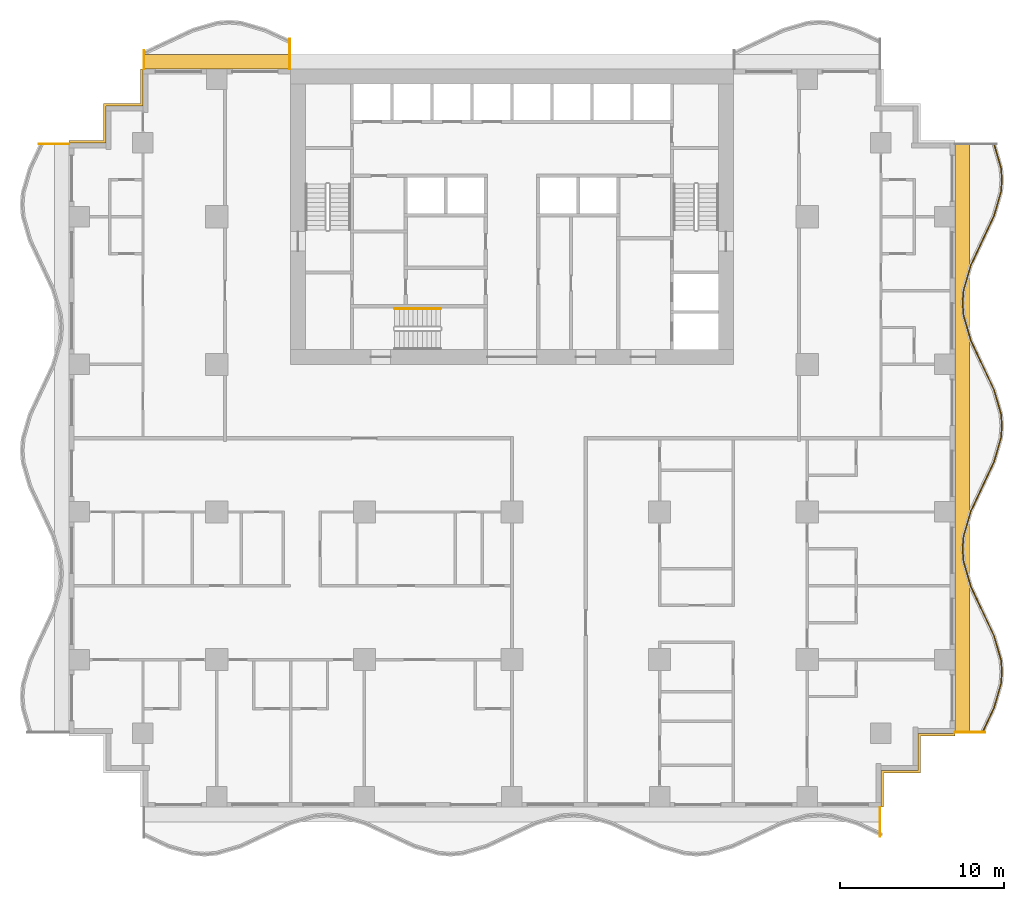
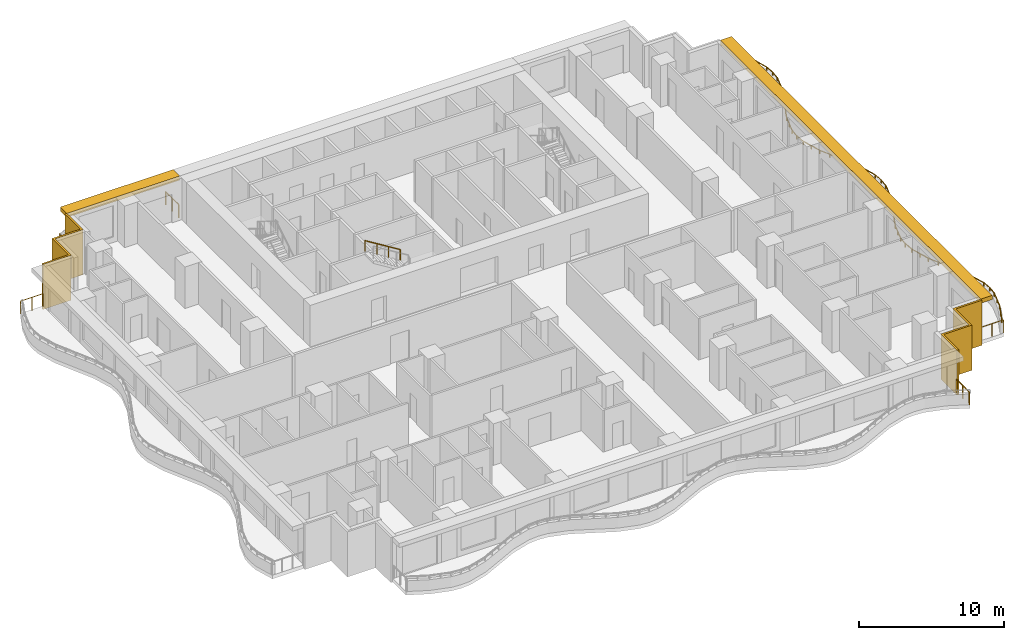
# One storey, part 11 of 14: 7 railings, 4 shading devices.
"""IFC4 building model written with IfcOpenShell, lengths in metres."""

from ifc_helpers import new_model, si_unit, direction, frame, origin, origin_2d, place, context, subcontext, project, spatial, polyline, rectangle, circle, outline, extrude, material, layer, layer_set, type_object, element, save


model = new_model("IFC4")

# Units and contexts
model_context = context("Model", 3, precision=1e-05, world=origin(), true_north=direction((0.0, 1.0)))
body_context = subcontext(model_context, "Body", "Model", "MODEL_VIEW")
ifc_project = project(units=[si_unit("LENGTHUNIT", "METRE"), si_unit("AREAUNIT", "SQUARE_METRE"), si_unit("VOLUMEUNIT", "CUBIC_METRE"), si_unit("PLANEANGLEUNIT", "RADIAN"), si_unit("MASSUNIT", "GRAM", prefix="KILO")], contexts=[model_context])

# Site, building, storey
site_placement = place(None, origin())
site = spatial("IfcSite", under=ifc_project, at=site_placement, CompositionType="ELEMENT")
building_placement = place(site_placement, origin())
building = spatial("IfcBuilding", under=site, at=building_placement, Name="Orbiselva Terraces", CompositionType="ELEMENT")
storey_placement = place(building_placement, frame((0.0, 0.0, 107.4)))
storey = spatial("IfcBuildingStorey", under=building, at=storey_placement, Name="L27", CompositionType="ELEMENT", Elevation=107.4)

# Railings
ifc_material_1 = material(Name="Stainless steel", Category="steel")
railing_type_1 = type_object("IfcRailingType", Name="CORE-HANDRAIL-900", PredefinedType="HANDRAIL", material=ifc_material_1)
railing_1_placement = place(storey_placement, frame((-4.35, 7.9, 2.072727)))
element("IfcRailing", 1, at=railing_1_placement, inside=storey, type_object=railing_type_1, Name="L27 S3 stair handrail 2", PredefinedType="HANDRAIL", context=body_context, shape_type="SweptSolid", body=[
    extrude(circle(Radius=0.024, at=origin_2d()), frame((0.0, 0.0, 0.876), z_axis=(-0.851088519012, 0.0, 0.52502222125), x_axis=(0.0, -1.0, 0.0)), (0.0, 0.0, 1.0), 3.289905),
    extrude(circle(Radius=0.021, at=origin_2d()), origin(), (0.0, 0.0, 1.0), 0.852),
    extrude(circle(Radius=0.021, at=origin_2d()), frame((-0.933333, 0.0, 0.575758)), (0.0, 0.0, 1.0), 0.852),
    extrude(circle(Radius=0.021, at=origin_2d()), frame((-1.866667, 0.0, 1.151515)), (0.0, 0.0, 1.0), 0.852),
    extrude(circle(Radius=0.021, at=origin_2d()), frame((-2.8, 0.0, 1.727273)), (0.0, 0.0, 1.0), 0.852),
])
ifc_material_2 = material(Name="Bonded two-ply safety glass balustrade, stainless steel posts", Category="steel")
railing_type_2 = type_object("IfcRailingType", Name="ENV-BALUSTRADE-1200", PredefinedType="BALUSTRADE", material=ifc_material_2)
railing_2_placement = place(storey_placement, frame((28.686882, -17.946809, 0.9)))
element("IfcRailing", 2, at=railing_2_placement, inside=storey, type_object=railing_type_2, Name="Balcony balustrade L27 E", PredefinedType="BALUSTRADE", context=body_context, shape_type="SweptSolid", body=[
    extrude(outline(polyline([(0.028868, 0.0), (0.014434, 0.025), (-0.014434, 0.025), (-0.028868, 0.0), (-0.014434, -0.025), (0.014434, -0.025), (0.028868, 0.0)])), frame((0.0, 0.0, 0.275), z_axis=(0.425529912322, 0.904944359461, 0.0), x_axis=(-0.904944359461, 0.425529912322, 0.0)), (0.0, 0.0, 1.0), 1.647746),
    extrude(outline(polyline([(0.028868, 0.0), (0.014434, 0.025), (-0.014434, 0.025), (-0.028868, 0.0), (-0.014434, -0.025), (0.014434, -0.025), (0.028868, 0.0)])), frame((0.701165, 1.491118, 0.275), z_axis=(0.279071528957, 0.960270317007, 0.0), x_axis=(-0.960270317007, 0.279071528957, 0.0)), (0.0, 0.0, 1.0), 1.539408),
    extrude(outline(polyline([(0.028868, 0.0), (0.014434, 0.025), (-0.014434, 0.025), (-0.028868, 0.0), (-0.014434, -0.025), (0.014434, -0.025), (0.028868, 0.0)])), frame((1.13077, 2.969366, 0.275), z_axis=(0.078069536776, 0.996947916106, 0.0), x_axis=(-0.996947916106, 0.078069536776, 0.0)), (0.0, 0.0, 1.0), 0.72967),
    extrude(outline(polyline([(0.028868, 0.0), (0.014434, 0.025), (-0.014434, 0.025), (-0.028868, 0.0), (-0.014434, -0.025), (0.014434, -0.025), (0.028868, 0.0)])), frame((1.187735, 3.696809, 0.275), z_axis=(-0.078069536776, 0.996947916106, 0.0), x_axis=(-0.996947916106, -0.078069536776, 0.0)), (0.0, 0.0, 1.0), 0.72967),
    extrude(outline(polyline([(0.028868, 0.0), (0.014434, 0.025), (-0.014434, 0.025), (-0.028868, 0.0), (-0.014434, -0.025), (0.014434, -0.025), (0.028868, 0.0)])), frame((1.13077, 4.424252, 0.275), z_axis=(-0.279071528957, 0.960270317007, 0.0), x_axis=(-0.960270317007, -0.279071528957, 0.0)), (0.0, 0.0, 1.0), 1.539408),
    extrude(outline(polyline([(0.028868, 0.0), (0.014434, 0.025), (-0.014434, 0.025), (-0.028868, 0.0), (-0.014434, -0.025), (0.014434, -0.025), (0.028868, 0.0)])), frame((0.701165, 5.9025, 0.275), z_axis=(-0.425529912322, 0.904944359461, 0.0), x_axis=(-0.904944359461, -0.425529912322, 0.0)), (0.0, 0.0, 1.0), 1.647746),
    extrude(outline(polyline([(0.028868, 0.0), (0.014434, 0.025), (-0.014434, 0.025), (-0.028868, 0.0), (-0.014434, -0.025), (0.014434, -0.025), (0.028868, 0.0)])), frame((0.0, 7.393618, 0.275), z_axis=(-0.425530342069, 0.904944157382, 0.0), x_axis=(-0.904944157382, -0.425530342069, 0.0)), (0.0, 0.0, 1.0), 1.667376),
    extrude(outline(polyline([(0.028868, 0.0), (0.014434, 0.025), (-0.014434, 0.025), (-0.028868, 0.0), (-0.014434, -0.025), (0.014434, -0.025), (0.028868, 0.0)])), frame((-0.709519, 8.9025, 0.275), z_axis=(-0.279070928786, 0.960270491427, 0.0), x_axis=(-0.960270491427, -0.279070928786, 0.0)), (0.0, 0.0, 1.0), 1.584712),
    extrude(outline(polyline([(0.028868, 0.0), (0.014434, 0.025), (-0.014434, 0.025), (-0.028868, 0.0), (-0.014434, -0.025), (0.014434, -0.025), (0.028868, 0.0)])), frame((-1.151766, 10.424252, 0.275), z_axis=(-0.078071061106, 0.996947796737, 0.0), x_axis=(-0.996947796737, -0.078071061106, 0.0)), (0.0, 0.0, 1.0), 0.774922),
    extrude(outline(polyline([(0.028868, 0.0), (0.014434, 0.025), (-0.014434, 0.025), (-0.028868, 0.0), (-0.014434, -0.025), (0.014434, -0.025), (0.028868, 0.0)])), frame((-1.212265, 11.196809, 0.275), z_axis=(0.078071061106, 0.996947796737, 0.0), x_axis=(-0.996947796737, 0.078071061106, 0.0)), (0.0, 0.0, 1.0), 0.774922),
    extrude(outline(polyline([(0.028868, 0.0), (0.014434, 0.025), (-0.014434, 0.025), (-0.028868, 0.0), (-0.014434, -0.025), (0.014434, -0.025), (0.028868, 0.0)])), frame((-1.151766, 11.969366, 0.275), z_axis=(0.279070928786, 0.960270491427, 0.0), x_axis=(-0.960270491427, 0.279070928786, 0.0)), (0.0, 0.0, 1.0), 1.584712),
    extrude(outline(polyline([(0.028868, 0.0), (0.014434, 0.025), (-0.014434, 0.025), (-0.028868, 0.0), (-0.014434, -0.025), (0.014434, -0.025), (0.028868, 0.0)])), frame((-0.709519, 13.491118, 0.275), z_axis=(0.425530342069, 0.904944157382, 0.0), x_axis=(-0.904944157382, 0.425530342069, 0.0)), (0.0, 0.0, 1.0), 1.667376),
    extrude(outline(polyline([(0.028868, 0.0), (0.014434, 0.025), (-0.014434, 0.025), (-0.028868, 0.0), (-0.014434, -0.025), (0.014434, -0.025), (0.028868, 0.0)])), frame((0.0, 15.0, 0.275), z_axis=(0.425529912322, 0.904944359461, 0.0), x_axis=(-0.904944359461, 0.425529912322, 0.0)), (0.0, 0.0, 1.0), 1.647746),
    extrude(outline(polyline([(0.028868, 0.0), (0.014434, 0.025), (-0.014434, 0.025), (-0.028868, 0.0), (-0.014434, -0.025), (0.014434, -0.025), (0.028868, 0.0)])), frame((0.701165, 16.491118, 0.275), z_axis=(0.279071528957, 0.960270317007, 0.0), x_axis=(-0.960270317007, 0.279071528957, 0.0)), (0.0, 0.0, 1.0), 1.539408),
    extrude(outline(polyline([(0.028868, 0.0), (0.014434, 0.025), (-0.014434, 0.025), (-0.028868, 0.0), (-0.014434, -0.025), (0.014434, -0.025), (0.028868, 0.0)])), frame((1.13077, 17.969366, 0.275), z_axis=(0.078069536776, 0.996947916106, 0.0), x_axis=(-0.996947916106, 0.078069536776, 0.0)), (0.0, 0.0, 1.0), 0.72967),
    extrude(outline(polyline([(0.028868, 0.0), (0.014434, 0.025), (-0.014434, 0.025), (-0.028868, 0.0), (-0.014434, -0.025), (0.014434, -0.025), (0.028868, 0.0)])), frame((1.187735, 18.696809, 0.275), z_axis=(-0.078069536776, 0.996947916106, 0.0), x_axis=(-0.996947916106, -0.078069536776, 0.0)), (0.0, 0.0, 1.0), 0.72967),
    extrude(outline(polyline([(0.028868, 0.0), (0.014434, 0.025), (-0.014434, 0.025), (-0.028868, 0.0), (-0.014434, -0.025), (0.014434, -0.025), (0.028868, 0.0)])), frame((1.13077, 19.424252, 0.275), z_axis=(-0.279071528957, 0.960270317007, 0.0), x_axis=(-0.960270317007, -0.279071528957, 0.0)), (0.0, 0.0, 1.0), 1.539408),
    extrude(outline(polyline([(0.028868, 0.0), (0.014434, 0.025), (-0.014434, 0.025), (-0.028868, 0.0), (-0.014434, -0.025), (0.014434, -0.025), (0.028868, 0.0)])), frame((0.701165, 20.9025, 0.275), z_axis=(-0.425529912322, 0.904944359461, 0.0), x_axis=(-0.904944359461, -0.425529912322, 0.0)), (0.0, 0.0, 1.0), 1.647746),
    extrude(outline(polyline([(0.028868, 0.0), (0.014434, 0.025), (-0.014434, 0.025), (-0.028868, 0.0), (-0.014434, -0.025), (0.014434, -0.025), (0.028868, 0.0)])), frame((0.0, 22.393618, 0.275), z_axis=(-0.425530342069, 0.904944157382, 0.0), x_axis=(-0.904944157382, -0.425530342069, 0.0)), (0.0, 0.0, 1.0), 1.667376),
    extrude(outline(polyline([(0.028868, 0.0), (0.014434, 0.025), (-0.014434, 0.025), (-0.028868, 0.0), (-0.014434, -0.025), (0.014434, -0.025), (0.028868, 0.0)])), frame((-0.709519, 23.9025, 0.275), z_axis=(-0.279070928786, 0.960270491427, 0.0), x_axis=(-0.960270491427, -0.279070928786, 0.0)), (0.0, 0.0, 1.0), 1.584712),
    extrude(outline(polyline([(0.028868, 0.0), (0.014434, 0.025), (-0.014434, 0.025), (-0.028868, 0.0), (-0.014434, -0.025), (0.014434, -0.025), (0.028868, 0.0)])), frame((-1.151766, 25.424252, 0.275), z_axis=(-0.078071061106, 0.996947796737, 0.0), x_axis=(-0.996947796737, -0.078071061106, 0.0)), (0.0, 0.0, 1.0), 0.774922),
    extrude(outline(polyline([(0.028868, 0.0), (0.014434, 0.025), (-0.014434, 0.025), (-0.028868, 0.0), (-0.014434, -0.025), (0.014434, -0.025), (0.028868, 0.0)])), frame((-1.212265, 26.196809, 0.275), z_axis=(0.078071061106, 0.996947796737, 0.0), x_axis=(-0.996947796737, 0.078071061106, 0.0)), (0.0, 0.0, 1.0), 0.774922),
    extrude(outline(polyline([(0.028868, 0.0), (0.014434, 0.025), (-0.014434, 0.025), (-0.028868, 0.0), (-0.014434, -0.025), (0.014434, -0.025), (0.028868, 0.0)])), frame((-1.151766, 26.969366, 0.275), z_axis=(0.279070928786, 0.960270491427, 0.0), x_axis=(-0.960270491427, 0.279070928786, 0.0)), (0.0, 0.0, 1.0), 1.584712),
    extrude(outline(polyline([(0.028868, 0.0), (0.014434, 0.025), (-0.014434, 0.025), (-0.028868, 0.0), (-0.014434, -0.025), (0.014434, -0.025), (0.028868, 0.0)])), frame((-0.709519, 28.491118, 0.275), z_axis=(0.425530342069, 0.904944157382, 0.0), x_axis=(-0.904944157382, 0.425530342069, 0.0)), (0.0, 0.0, 1.0), 1.667376),
    extrude(outline(polyline([(0.028868, 0.0), (0.014434, 0.025), (-0.014434, 0.025), (-0.028868, 0.0), (-0.014434, -0.025), (0.014434, -0.025), (0.028868, 0.0)])), frame((0.0, 30.0, 0.275), z_axis=(0.425529912322, 0.904944359461, 0.0), x_axis=(-0.904944359461, 0.425529912322, 0.0)), (0.0, 0.0, 1.0), 1.647746),
    extrude(outline(polyline([(0.028868, 0.0), (0.014434, 0.025), (-0.014434, 0.025), (-0.028868, 0.0), (-0.014434, -0.025), (0.014434, -0.025), (0.028868, 0.0)])), frame((0.701165, 31.491118, 0.275), z_axis=(0.279071528957, 0.960270317007, 0.0), x_axis=(-0.960270317007, 0.279071528957, 0.0)), (0.0, 0.0, 1.0), 1.539408),
    extrude(outline(polyline([(0.028868, 0.0), (0.014434, 0.025), (-0.014434, 0.025), (-0.028868, 0.0), (-0.014434, -0.025), (0.014434, -0.025), (0.028868, 0.0)])), frame((1.13077, 32.969366, 0.275), z_axis=(0.078069536776, 0.996947916106, 0.0), x_axis=(-0.996947916106, 0.078069536776, 0.0)), (0.0, 0.0, 1.0), 0.72967),
    extrude(outline(polyline([(0.028868, 0.0), (0.014434, 0.025), (-0.014434, 0.025), (-0.028868, 0.0), (-0.014434, -0.025), (0.014434, -0.025), (0.028868, 0.0)])), frame((1.187735, 33.696809, 0.275), z_axis=(-0.078069536776, 0.996947916106, 0.0), x_axis=(-0.996947916106, -0.078069536776, 0.0)), (0.0, 0.0, 1.0), 0.72967),
    extrude(outline(polyline([(0.028868, 0.0), (0.014434, 0.025), (-0.014434, 0.025), (-0.028868, 0.0), (-0.014434, -0.025), (0.014434, -0.025), (0.028868, 0.0)])), frame((1.13077, 34.424252, 0.275), z_axis=(-0.279071486336, 0.960270329394, 0.0), x_axis=(-0.960270329394, -0.279071486336, 0.0)), (0.0, 0.0, 1.0), 1.549223),
    extrude(rectangle(XDim=0.05, YDim=0.05, at=origin_2d()), origin(), (0.0, 0.0, 1.0), 0.25),
    extrude(rectangle(XDim=0.05, YDim=0.05, at=origin_2d()), frame((0.350582, 0.745559, 0.0)), (0.0, 0.0, 1.0), 0.25),
    extrude(rectangle(XDim=0.05, YDim=0.05, at=origin_2d()), frame((0.701165, 1.491118, 0.0)), (0.0, 0.0, 1.0), 0.25),
    extrude(rectangle(XDim=0.05, YDim=0.05, at=origin_2d()), frame((0.915967, 2.230242, 0.0)), (0.0, 0.0, 1.0), 0.25),
    extrude(rectangle(XDim=0.05, YDim=0.05, at=origin_2d()), frame((1.13077, 2.969366, 0.0)), (0.0, 0.0, 1.0), 0.25),
    extrude(rectangle(XDim=0.05, YDim=0.05, at=origin_2d()), frame((1.187735, 3.696809, 0.0)), (0.0, 0.0, 1.0), 0.25),
    extrude(rectangle(XDim=0.05, YDim=0.05, at=origin_2d()), frame((1.13077, 4.424252, 0.0)), (0.0, 0.0, 1.0), 0.25),
    extrude(rectangle(XDim=0.05, YDim=0.05, at=origin_2d()), frame((0.915967, 5.163376, 0.0)), (0.0, 0.0, 1.0), 0.25),
    extrude(rectangle(XDim=0.05, YDim=0.05, at=origin_2d()), frame((0.701165, 5.9025, 0.0)), (0.0, 0.0, 1.0), 0.25),
    extrude(rectangle(XDim=0.05, YDim=0.05, at=origin_2d()), frame((0.350582, 6.648059, 0.0)), (0.0, 0.0, 1.0), 0.25),
    extrude(rectangle(XDim=0.05, YDim=0.05, at=origin_2d()), frame((0.0, 7.393618, 0.0)), (0.0, 0.0, 1.0), 0.25),
    extrude(rectangle(XDim=0.05, YDim=0.05, at=origin_2d()), frame((-0.35476, 8.148059, 0.0)), (0.0, 0.0, 1.0), 0.25),
    extrude(rectangle(XDim=0.05, YDim=0.05, at=origin_2d()), frame((-0.709519, 8.9025, 0.0)), (0.0, 0.0, 1.0), 0.25),
    extrude(rectangle(XDim=0.05, YDim=0.05, at=origin_2d()), frame((-0.930643, 9.663376, 0.0)), (0.0, 0.0, 1.0), 0.25),
    extrude(rectangle(XDim=0.05, YDim=0.05, at=origin_2d()), frame((-1.151766, 10.424252, 0.0)), (0.0, 0.0, 1.0), 0.25),
    extrude(rectangle(XDim=0.05, YDim=0.05, at=origin_2d()), frame((-1.212265, 11.196809, 0.0)), (0.0, 0.0, 1.0), 0.25),
    extrude(rectangle(XDim=0.05, YDim=0.05, at=origin_2d()), frame((-1.151766, 11.969366, 0.0)), (0.0, 0.0, 1.0), 0.25),
    extrude(rectangle(XDim=0.05, YDim=0.05, at=origin_2d()), frame((-0.930643, 12.730242, 0.0)), (0.0, 0.0, 1.0), 0.25),
    extrude(rectangle(XDim=0.05, YDim=0.05, at=origin_2d()), frame((-0.709519, 13.491118, 0.0)), (0.0, 0.0, 1.0), 0.25),
    extrude(rectangle(XDim=0.05, YDim=0.05, at=origin_2d()), frame((-0.35476, 14.245559, 0.0)), (0.0, 0.0, 1.0), 0.25),
    extrude(rectangle(XDim=0.05, YDim=0.05, at=origin_2d()), frame((0.0, 15.0, 0.0)), (0.0, 0.0, 1.0), 0.25),
    extrude(rectangle(XDim=0.05, YDim=0.05, at=origin_2d()), frame((0.350582, 15.745559, 0.0)), (0.0, 0.0, 1.0), 0.25),
    extrude(rectangle(XDim=0.05, YDim=0.05, at=origin_2d()), frame((0.701165, 16.491118, 0.0)), (0.0, 0.0, 1.0), 0.25),
    extrude(rectangle(XDim=0.05, YDim=0.05, at=origin_2d()), frame((0.915967, 17.230242, 0.0)), (0.0, 0.0, 1.0), 0.25),
    extrude(rectangle(XDim=0.05, YDim=0.05, at=origin_2d()), frame((1.13077, 17.969366, 0.0)), (0.0, 0.0, 1.0), 0.25),
    extrude(rectangle(XDim=0.05, YDim=0.05, at=origin_2d()), frame((1.187735, 18.696809, 0.0)), (0.0, 0.0, 1.0), 0.25),
    extrude(rectangle(XDim=0.05, YDim=0.05, at=origin_2d()), frame((1.13077, 19.424252, 0.0)), (0.0, 0.0, 1.0), 0.25),
    extrude(rectangle(XDim=0.05, YDim=0.05, at=origin_2d()), frame((0.915967, 20.163376, 0.0)), (0.0, 0.0, 1.0), 0.25),
    extrude(rectangle(XDim=0.05, YDim=0.05, at=origin_2d()), frame((0.701165, 20.9025, 0.0)), (0.0, 0.0, 1.0), 0.25),
    extrude(rectangle(XDim=0.05, YDim=0.05, at=origin_2d()), frame((0.350582, 21.648059, 0.0)), (0.0, 0.0, 1.0), 0.25),
    extrude(rectangle(XDim=0.05, YDim=0.05, at=origin_2d()), frame((0.0, 22.393618, 0.0)), (0.0, 0.0, 1.0), 0.25),
    extrude(rectangle(XDim=0.05, YDim=0.05, at=origin_2d()), frame((-0.35476, 23.148059, 0.0)), (0.0, 0.0, 1.0), 0.25),
    extrude(rectangle(XDim=0.05, YDim=0.05, at=origin_2d()), frame((-0.709519, 23.9025, 0.0)), (0.0, 0.0, 1.0), 0.25),
    extrude(rectangle(XDim=0.05, YDim=0.05, at=origin_2d()), frame((-0.930643, 24.663376, 0.0)), (0.0, 0.0, 1.0), 0.25),
    extrude(rectangle(XDim=0.05, YDim=0.05, at=origin_2d()), frame((-1.151766, 25.424252, 0.0)), (0.0, 0.0, 1.0), 0.25),
    extrude(rectangle(XDim=0.05, YDim=0.05, at=origin_2d()), frame((-1.212265, 26.196809, 0.0)), (0.0, 0.0, 1.0), 0.25),
    extrude(rectangle(XDim=0.05, YDim=0.05, at=origin_2d()), frame((-1.151766, 26.969366, 0.0)), (0.0, 0.0, 1.0), 0.25),
    extrude(rectangle(XDim=0.05, YDim=0.05, at=origin_2d()), frame((-0.930643, 27.730242, 0.0)), (0.0, 0.0, 1.0), 0.25),
    extrude(rectangle(XDim=0.05, YDim=0.05, at=origin_2d()), frame((-0.709519, 28.491118, 0.0)), (0.0, 0.0, 1.0), 0.25),
    extrude(rectangle(XDim=0.05, YDim=0.05, at=origin_2d()), frame((-0.35476, 29.245559, 0.0)), (0.0, 0.0, 1.0), 0.25),
    extrude(rectangle(XDim=0.05, YDim=0.05, at=origin_2d()), frame((0.0, 30.0, 0.0)), (0.0, 0.0, 1.0), 0.25),
    extrude(rectangle(XDim=0.05, YDim=0.05, at=origin_2d()), frame((0.350582, 30.745559, 0.0)), (0.0, 0.0, 1.0), 0.25),
    extrude(rectangle(XDim=0.05, YDim=0.05, at=origin_2d()), frame((0.701165, 31.491118, 0.0)), (0.0, 0.0, 1.0), 0.25),
    extrude(rectangle(XDim=0.05, YDim=0.05, at=origin_2d()), frame((0.915967, 32.230242, 0.0)), (0.0, 0.0, 1.0), 0.25),
    extrude(rectangle(XDim=0.05, YDim=0.05, at=origin_2d()), frame((1.13077, 32.969366, 0.0)), (0.0, 0.0, 1.0), 0.25),
    extrude(rectangle(XDim=0.05, YDim=0.05, at=origin_2d()), frame((1.187735, 33.696809, 0.0)), (0.0, 0.0, 1.0), 0.25),
    extrude(rectangle(XDim=0.05, YDim=0.05, at=origin_2d()), frame((1.13077, 34.424252, 0.0)), (0.0, 0.0, 1.0), 0.25),
    extrude(rectangle(XDim=0.05, YDim=0.05, at=origin_2d()), frame((0.914598, 35.168088, 0.0)), (0.0, 0.0, 1.0), 0.25),
    extrude(rectangle(XDim=0.05, YDim=0.05, at=origin_2d()), frame((0.698426, 35.911925, 0.0)), (0.0, 0.0, 1.0), 0.25),
])
ifc_material_3 = material(Name="Stainless steel rail and posts", Category="steel")
railing_type_3 = type_object("IfcRailingType", Name="ENV-GUARD-1105", PredefinedType="BALUSTRADE", material=ifc_material_3)
railing_3_placement = place(storey_placement, frame((22.44, -24.269844, 0.0)))
element("IfcRailing", 3, at=railing_3_placement, inside=storey, type_object=railing_type_3, Name="Balcony end guard L27 S", PredefinedType="BALUSTRADE", context=body_context, shape_type="SweptSolid", body=[
    extrude(outline(polyline([(0.028868, 0.0), (0.014434, 0.025), (-0.014434, 0.025), (-0.028868, 0.0), (-0.014434, -0.025), (0.014434, -0.025), (0.028868, 0.0)])), frame((0.0, 0.0, 1.08), z_axis=(0.0, 1.0, 0.0), x_axis=(-1.0, 0.0, 0.0)), (0.0, 0.0, 1.0), 1.744844),
    extrude(rectangle(XDim=0.05, YDim=0.05, at=origin_2d()), origin(), (0.0, 0.0, 1.0), 1.055),
    extrude(rectangle(XDim=0.05, YDim=0.05, at=origin_2d()), frame((0.0, 0.872422, 0.0)), (0.0, 0.0, 1.0), 1.055),
    extrude(rectangle(XDim=0.05, YDim=0.05, at=origin_2d()), frame((0.0, 1.744844, 0.0)), (0.0, 0.0, 1.0), 1.055),
])
railing_4_placement = place(storey_placement, frame((28.830156, -17.94, 0.0)))
element("IfcRailing", 4, at=railing_4_placement, inside=storey, type_object=railing_type_3, Name="Balcony end guard L27 E", PredefinedType="BALUSTRADE", context=body_context, shape_type="SweptSolid", body=[
    extrude(outline(polyline([(0.028868, 0.0), (0.014434, 0.025), (-0.014434, 0.025), (-0.028868, 0.0), (-0.014434, -0.025), (0.014434, -0.025), (0.028868, 0.0)])), frame((0.0, 0.0, 1.08), z_axis=(-1.0, 0.0, 0.0), x_axis=(0.0, -1.0, 0.0)), (0.0, 0.0, 1.0), 1.805156),
    extrude(rectangle(XDim=0.05, YDim=0.05, at=origin_2d()), origin(), (0.0, 0.0, 1.0), 1.055),
    extrude(rectangle(XDim=0.05, YDim=0.05, at=origin_2d()), frame((-0.902578, 0.0, 0.0)), (0.0, 0.0, 1.0), 1.055),
    extrude(rectangle(XDim=0.05, YDim=0.05, at=origin_2d()), frame((-1.805156, 0.0, 0.0)), (0.0, 0.0, 1.0), 1.055),
])
railing_5_placement = place(storey_placement, frame((-13.56, 24.330156, 0.0)))
element("IfcRailing", 5, at=railing_5_placement, inside=storey, type_object=railing_type_3, Name="Balcony end guard L27 NW", PredefinedType="BALUSTRADE", context=body_context, shape_type="SweptSolid", body=[
    extrude(outline(polyline([(0.028868, 0.0), (0.014434, 0.025), (-0.014434, 0.025), (-0.028868, 0.0), (-0.014434, -0.025), (0.014434, -0.025), (0.028868, 0.0)])), frame((0.0, 0.0, 1.08), z_axis=(0.0, -1.0, 0.0), x_axis=(1.0, 0.0, 0.0)), (0.0, 0.0, 1.0), 1.805156),
    extrude(rectangle(XDim=0.05, YDim=0.05, at=origin_2d()), origin(), (0.0, 0.0, 1.0), 1.055),
    extrude(rectangle(XDim=0.05, YDim=0.05, at=origin_2d()), frame((0.0, -0.902578, 0.0)), (0.0, 0.0, 1.0), 1.055),
    extrude(rectangle(XDim=0.05, YDim=0.05, at=origin_2d()), frame((0.0, -1.805156, 0.0)), (0.0, 0.0, 1.0), 1.055),
])
railing_6_placement = place(storey_placement, frame((-22.44, 23.619277, 0.0)))
element("IfcRailing", 6, at=railing_6_placement, inside=storey, type_object=railing_type_3, Name="Balcony end guard L27 NW", PredefinedType="BALUSTRADE", context=body_context, shape_type="SweptSolid", body=[
    extrude(outline(polyline([(0.028868, 0.0), (0.014434, 0.025), (-0.014434, 0.025), (-0.028868, 0.0), (-0.014434, -0.025), (0.014434, -0.025), (0.028868, 0.0)])), frame((0.0, 0.0, 1.08), z_axis=(0.0, -1.0, 0.0), x_axis=(1.0, 0.0, 0.0)), (0.0, 0.0, 1.0), 1.094277),
    extrude(rectangle(XDim=0.05, YDim=0.05, at=origin_2d()), origin(), (0.0, 0.0, 1.0), 1.055),
    extrude(rectangle(XDim=0.05, YDim=0.05, at=origin_2d()), frame((0.0, -1.094277, 0.0)), (0.0, 0.0, 1.0), 1.055),
])
railing_7_placement = place(storey_placement, frame((-28.830156, 17.94, 0.0)))
element("IfcRailing", 7, at=railing_7_placement, inside=storey, type_object=railing_type_3, Name="Balcony end guard L27 W", PredefinedType="BALUSTRADE", context=body_context, shape_type="SweptSolid", body=[
    extrude(outline(polyline([(0.028868, 0.0), (0.014434, 0.025), (-0.014434, 0.025), (-0.028868, 0.0), (-0.014434, -0.025), (0.014434, -0.025), (0.028868, 0.0)])), frame((0.0, 0.0, 1.08), z_axis=(1.0, 0.0, 0.0), x_axis=(0.0, 1.0, 0.0)), (0.0, 0.0, 1.0), 1.805156),
    extrude(rectangle(XDim=0.05, YDim=0.05, at=origin_2d()), origin(), (0.0, 0.0, 1.0), 1.055),
    extrude(rectangle(XDim=0.05, YDim=0.05, at=origin_2d()), frame((0.902578, 0.0, 0.0)), (0.0, 0.0, 1.0), 1.055),
    extrude(rectangle(XDim=0.05, YDim=0.05, at=origin_2d()), frame((1.805156, 0.0, 0.0)), (0.0, 0.0, 1.0), 1.055),
])

# Shading devices
ifc_material_4 = material(Name="Terracotta louvre screen", Category="masonry")
ifc_layer_1 = layer(ifc_material_4, 0.15)
ifc_layer_set_1 = layer_set([ifc_layer_1], Name="Terracotta louvre screen")
shading_device_type_1 = type_object("IfcShadingDeviceType", Name="ENV-SCREEN-150", PredefinedType="USERDEFINED", material=ifc_layer_set_1)
shading_device_1_placement = place(storey_placement, frame((0.0, 0.0, -0.3)))
element("IfcShadingDevice", 8, at=shading_device_1_placement, inside=storey, type_object=shading_device_type_1, Name="Louvre screen L27 NW", ObjectType="SCREEN", PredefinedType="USERDEFINED", context=body_context, shape_type="SweptSolid", body=[
    extrude(outline(polyline([(-22.65, 22.5), (-22.65, 20.4), (-24.9, 20.4), (-24.9, 18.15), (-27.0, 18.15), (-27.0, 18.0), (-24.75, 18.0), (-24.75, 20.25), (-22.5, 20.25), (-22.5, 22.5), (-22.65, 22.5)])), origin(), (0.0, 0.0, 1.0), 3.8),
])
shading_device_2_placement = place(storey_placement, frame((0.0, 0.0, -0.3)))
element("IfcShadingDevice", 9, at=shading_device_2_placement, inside=storey, type_object=shading_device_type_1, Name="Louvre screen L27 SE", ObjectType="SCREEN", PredefinedType="USERDEFINED", context=body_context, shape_type="SweptSolid", body=[
    extrude(outline(polyline([(22.65, -22.5), (22.65, -20.4), (24.9, -20.4), (24.9, -18.15), (27.0, -18.15), (27.0, -18.0), (24.75, -18.0), (24.75, -20.25), (22.5, -20.25), (22.5, -22.5), (22.65, -22.5)])), origin(), (0.0, 0.0, 1.0), 3.8),
])
ifc_material_5 = material(Name="Terracotta baguette sunshade", Category="masonry")
ifc_layer_2 = layer(ifc_material_5, 0.35)
ifc_layer_set_2 = layer_set([ifc_layer_2], Name="Terracotta baguette sunshade")
shading_device_type_2 = type_object("IfcShadingDeviceType", Name="ENV-SUNSHADE-900x350", PredefinedType="USERDEFINED", material=ifc_layer_set_2)
shading_device_3_placement = place(storey_placement, frame((0.0, 0.0, 3.15)))
element("IfcShadingDevice", 10, at=shading_device_3_placement, inside=storey, type_object=shading_device_type_2, Name="Sunshade band L27 E", ObjectType="SUNSHADE", PredefinedType="USERDEFINED", context=body_context, shape_type="SweptSolid", body=[
    extrude(outline(polyline([(27.9, -18.0), (27.9, 18.0), (27.0, 18.0), (27.0, -18.0), (27.9, -18.0)])), origin(), (0.0, 0.0, 1.0), 0.35),
])
shading_device_4_placement = place(storey_placement, frame((0.0, 0.0, 3.15)))
element("IfcShadingDevice", 11, at=shading_device_4_placement, inside=storey, type_object=shading_device_type_2, Name="Sunshade band L27 NW", ObjectType="SUNSHADE", PredefinedType="USERDEFINED", context=body_context, shape_type="SweptSolid", body=[
    extrude(outline(polyline([(-13.5, 23.4), (-22.5, 23.4), (-22.5, 22.5), (-13.5, 22.5), (-13.5, 23.4)])), origin(), (0.0, 0.0, 1.0), 0.35),
])

save(model, "model.ifc")
